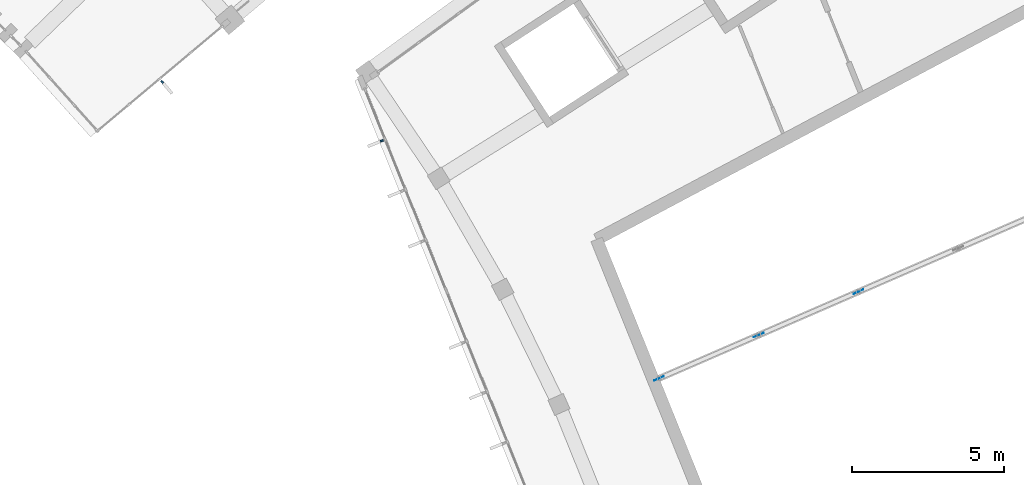
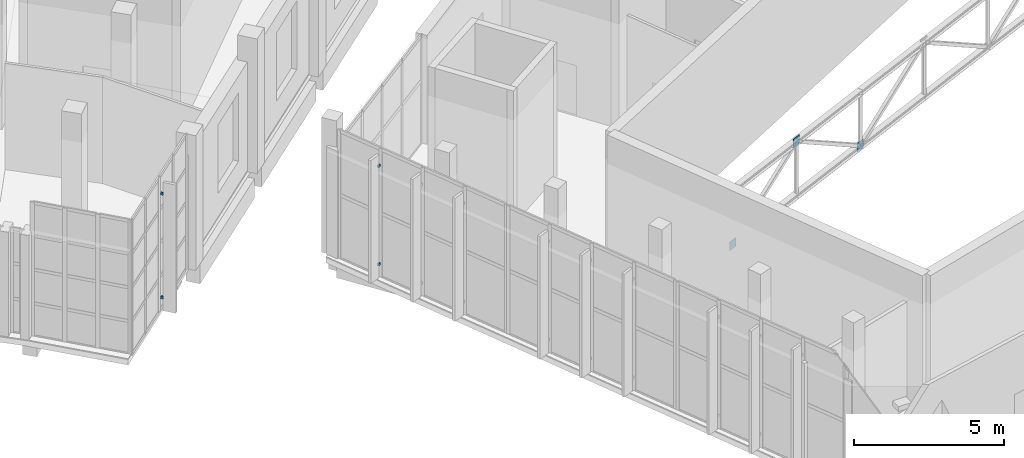
# One storey, part 75 of 112: 7 discrete accessories.
"""IFC4 building model written with IfcOpenShell, lengths in metres."""

from ifc_helpers import new_model, si_unit, direction, frame, origin, origin_2d, place, context, subcontext, project, spatial, rectangle, extrude, material, layer, layer_set, type_object, element, save


model = new_model("IFC4")

# Units and contexts
model_context = context("Model", 3, precision=1e-05, world=origin(), true_north=direction((0.0, 1.0)))
body_context = subcontext(model_context, "Body", "Model", "MODEL_VIEW")
ifc_project = project(units=[si_unit("LENGTHUNIT", "METRE"), si_unit("AREAUNIT", "SQUARE_METRE"), si_unit("VOLUMEUNIT", "CUBIC_METRE"), si_unit("PLANEANGLEUNIT", "RADIAN"), si_unit("MASSUNIT", "GRAM", prefix="KILO")], contexts=[model_context])

# Site, building, storey
site_placement = place(None, origin())
site = spatial("IfcSite", under=ifc_project, at=site_placement, CompositionType="ELEMENT")
building_placement = place(site_placement, origin())
building = spatial("IfcBuilding", under=site, at=building_placement, Name="Lunette Opera House", CompositionType="ELEMENT")
storey_placement = place(building_placement, frame((0.0, 0.0, 6.0)))
storey = spatial("IfcBuildingStorey", under=building, at=storey_placement, Name="L01", CompositionType="ELEMENT", Elevation=6.0)

# Discrete accessories
ifc_material_1 = material(Name="Steel S355", Category="steel")
ifc_layer = layer(ifc_material_1, 0.011962890625)
ifc_layer_set = layer_set([ifc_layer], Name="Steel S355")
discrete_accessory_type_1 = type_object("IfcDiscreteAccessoryType", Name="BRACE GUSSET PLATE 12", PredefinedType="USERDEFINED", material=ifc_layer_set)
for number, where, z_axis, x_axis, name in (
    (1, (154.56494140625, 25.465087890625, 2.800048828125), (0.0, 0.0, 1.0), (0.917083039162, 0.398696249395, 0.0), "Gusset plate 312"),
    (2, (157.85205078125, 26.89404296875, 5.0), (0.0, 0.0, 1.0), (0.917083039162, 0.398696249395, 0.0), "Gusset plate 313"),
    (3, (161.138916015625, 28.322998046875, 2.800048828125), (0.0, 0.0, 1.0), (0.917083039162, 0.398696249395, 0.0), "Gusset plate 314"),
):
    element("IfcDiscreteAccessory", number, at=place(storey_placement, frame(where, z_axis=z_axis, x_axis=x_axis)), inside=storey, type_object=discrete_accessory_type_1, Name=name, ObjectType="GUSSET PLATE", PredefinedType="USERDEFINED", context=body_context, shape_type="SweptSolid", body=[
        extrude(rectangle(XDim=0.35009765625, YDim=0.011962890625, at=origin_2d()), origin(), (0.0, 0.0, 1.0), 0.35009765625),
    ])
ifc_material_2 = material(Name="Galvanised steel", Category="steel")
discrete_accessory_type_2 = type_object("IfcDiscreteAccessoryType", Name="FIN BRACKET STEEL", PredefinedType="BRACKET", material=ifc_material_2)
for number, where, z_axis, x_axis, name in (
    (4, (138.197021484375, 35.238037109375, 0.56494140625), (0.0, 0.0, 1.0), (0.642827718799, -0.766010785788, 0.0), "Fin bracket FC-X2174 2 1"),
    (5, (138.197021484375, 35.238037109375, 4.800048828125), (0.0, 0.0, 1.0), (0.642827718799, -0.766010785788, 0.0), "Fin bracket FC-X2174 2 2"),
    (6, (145.43408203125, 33.298095703125, 0.56494140625), (0.0, 0.0, 1.0), (-0.927168162269, -0.374645430874, 0.0), "Fin bracket SB-X2008 1 1"),
    (7, (145.43408203125, 33.298095703125, 4.579833984375), (0.0, 0.0, 1.0), (-0.927168162269, -0.374645430874, 0.0), "Fin bracket SB-X2008 1 2"),
):
    element("IfcDiscreteAccessory", number, at=place(storey_placement, frame(where, z_axis=z_axis, x_axis=x_axis)), inside=storey, type_object=discrete_accessory_type_2, Name=name, PredefinedType="BRACKET", context=body_context, shape_type="SweptSolid", body=[
        extrude(rectangle(XDim=0.10009765625, YDim=0.06005859375, at=origin_2d()), origin(), (0.0, 0.0, 1.0), 0.10009765625),
    ])

save(model, "model.ifc")
